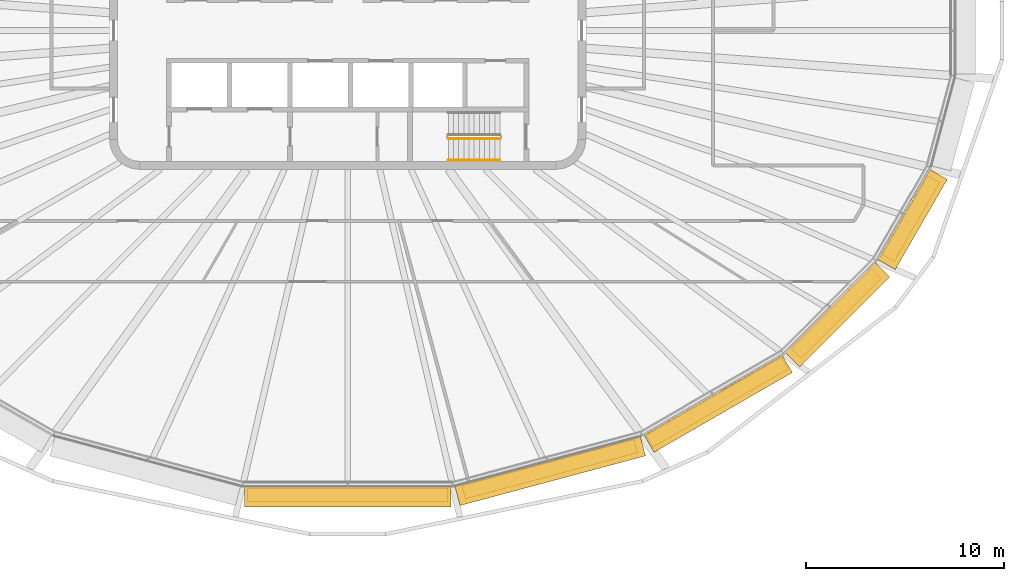
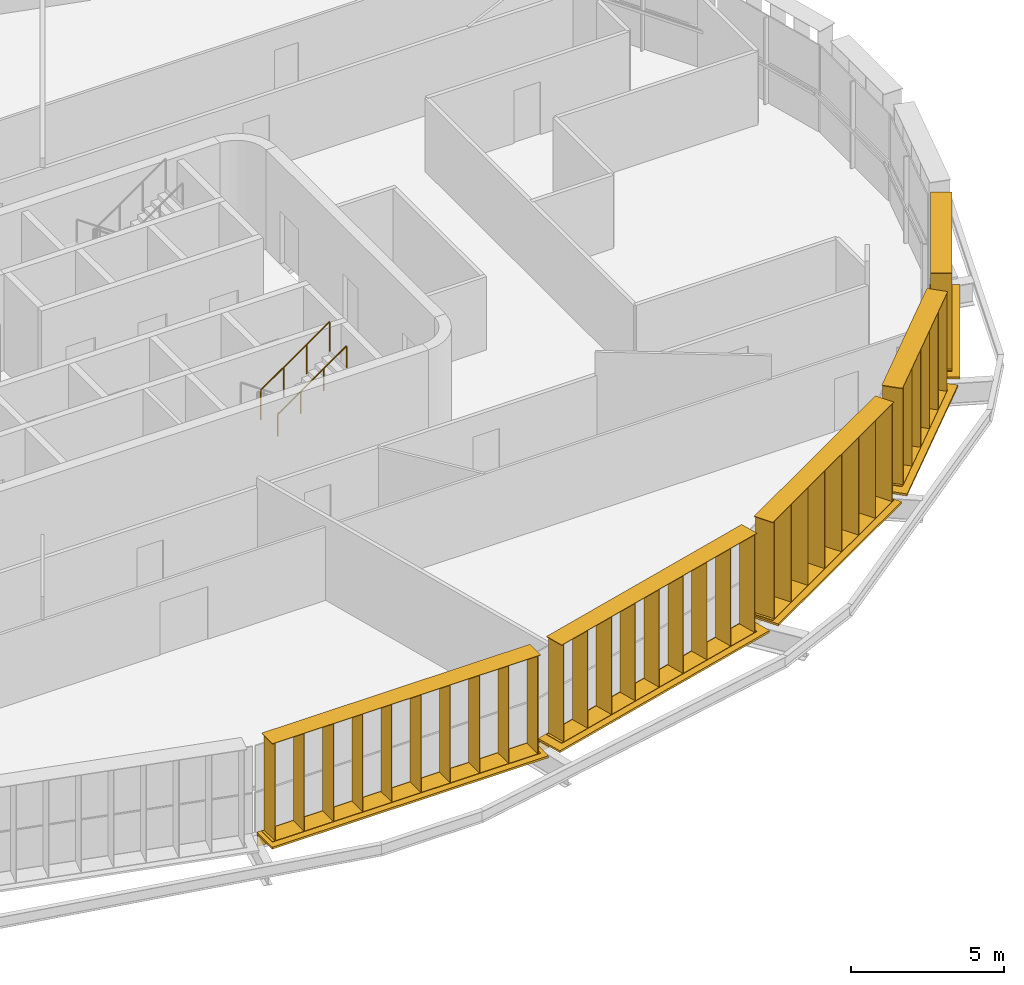
# One storey, part 17 of 20: 10 shading devices, 2 railings.
"""IFC4 building model written with IfcOpenShell, lengths in metres."""

from ifc_helpers import new_model, si_unit, direction, frame, origin, origin_2d, place, context, subcontext, project, spatial, rectangle, circle, extrude, material, type_object, element, save


model = new_model("IFC4")

# Units and contexts
model_context = context("Model", 3, precision=1e-05, world=origin(), true_north=direction((0.0, 1.0)))
body_context = subcontext(model_context, "Body", "Model", "MODEL_VIEW")
ifc_project = project(units=[si_unit("LENGTHUNIT", "METRE"), si_unit("AREAUNIT", "SQUARE_METRE"), si_unit("VOLUMEUNIT", "CUBIC_METRE"), si_unit("PLANEANGLEUNIT", "RADIAN"), si_unit("MASSUNIT", "GRAM", prefix="KILO")], contexts=[model_context])

# Site, building, storey
site_placement = place(None, origin())
site = spatial("IfcSite", under=ifc_project, at=site_placement, CompositionType="ELEMENT")
building_placement = place(site_placement, origin())
building = spatial("IfcBuilding", under=site, at=building_placement, Name="Sahrelin Media Tower", CompositionType="ELEMENT")
storey_placement = place(building_placement, frame((0.0, 0.0, 213.60009765625)))
storey = spatial("IfcBuildingStorey", under=building, at=storey_placement, Name="L45", CompositionType="ELEMENT", Elevation=213.60009765625)

# Shading devices
ifc_material_1 = material(Name="Champagne anodised aluminium 6063-T6", Category="aluminium")
shading_device_type_1 = type_object("IfcShadingDeviceType", Name="Fin cassette", PredefinedType="USERDEFINED", material=ifc_material_1)
placement_1 = place(storey_placement, frame((0.0, -22.982177734375, 0.0), z_axis=(0.0, 0.0, 1.0), x_axis=(-1.0, 0.0, 0.0)))
element("IfcShadingDevice", 1, at=placement_1, inside=storey, type_object=shading_device_type_1, Name="L45:FIN:L45-18", ObjectType="FIN", PredefinedType="USERDEFINED", context=body_context, shape_type="SweptSolid", body=[
    extrude(rectangle(XDim=10.10009765625, YDim=0.699951171875, at=origin_2d()), frame((0.0, 0.419921875, 0.0)), (0.0, 0.0, 1.0), 0.02001953125),
    extrude(rectangle(XDim=10.10009765625, YDim=0.699951171875, at=origin_2d()), frame((0.0, 0.419921875, 3.89990234375)), (0.0, 0.0, 1.0), 0.02001953125),
    extrude(rectangle(XDim=0.02001953125, YDim=0.699951171875, at=origin_2d()), frame((-4.949951171875, 0.419921875, 0.010009765625), z_axis=(0.0, 0.0, 1.0), x_axis=(1.0, 0.0, 0.0)), (0.0, 0.0, 1.0), 3.89990234375),
    extrude(rectangle(XDim=0.02001953125, YDim=0.699951171875, at=origin_2d()), frame((-3.85009765625, 0.419921875, 0.010009765625), z_axis=(0.0, 0.0, 1.0), x_axis=(1.0, 0.0, 0.0)), (0.0, 0.0, 1.0), 3.89990234375),
    extrude(rectangle(XDim=0.02001953125, YDim=0.699951171875, at=origin_2d()), frame((-2.75, 0.419921875, 0.010009765625), z_axis=(0.0, 0.0, 1.0), x_axis=(1.0, 0.0, 0.0)), (0.0, 0.0, 1.0), 3.89990234375),
    extrude(rectangle(XDim=0.02001953125, YDim=0.699951171875, at=origin_2d()), frame((-1.64990234375, 0.419921875, 0.010009765625), z_axis=(0.0, 0.0, 1.0), x_axis=(1.0, 0.0, 0.0)), (0.0, 0.0, 1.0), 3.89990234375),
    extrude(rectangle(XDim=0.02001953125, YDim=0.699951171875, at=origin_2d()), frame((-0.550048828125, 0.419921875, 0.010009765625), z_axis=(0.0, 0.0, 1.0), x_axis=(1.0, 0.0, 0.0)), (0.0, 0.0, 1.0), 3.89990234375),
    extrude(rectangle(XDim=0.02001953125, YDim=0.699951171875, at=origin_2d()), frame((0.550048828125, 0.419921875, 0.010009765625), z_axis=(0.0, 0.0, 1.0), x_axis=(1.0, 0.0, 0.0)), (0.0, 0.0, 1.0), 3.89990234375),
    extrude(rectangle(XDim=0.02001953125, YDim=0.699951171875, at=origin_2d()), frame((1.64990234375, 0.419921875, 0.010009765625), z_axis=(0.0, 0.0, 1.0), x_axis=(1.0, 0.0, 0.0)), (0.0, 0.0, 1.0), 3.89990234375),
    extrude(rectangle(XDim=0.02001953125, YDim=0.699951171875, at=origin_2d()), frame((2.75, 0.419921875, 0.010009765625), z_axis=(0.0, 0.0, 1.0), x_axis=(1.0, 0.0, 0.0)), (0.0, 0.0, 1.0), 3.89990234375),
    extrude(rectangle(XDim=0.02001953125, YDim=0.699951171875, at=origin_2d()), frame((3.85009765625, 0.419921875, 0.010009765625), z_axis=(0.0, 0.0, 1.0), x_axis=(1.0, 0.0, 0.0)), (0.0, 0.0, 1.0), 3.89990234375),
    extrude(rectangle(XDim=0.02001953125, YDim=0.699951171875, at=origin_2d()), frame((4.949951171875, 0.419921875, 0.010009765625), z_axis=(0.0, 0.0, 1.0), x_axis=(1.0, 0.0, 0.0)), (0.0, 0.0, 1.0), 3.89990234375),
])
placement_2 = place(storey_placement, frame((10.072998046875, -21.703857421875, 0.0), z_axis=(0.0, 0.0, 1.0), x_axis=(-0.965928857556, -0.258807731996, 0.0)))
element("IfcShadingDevice", 2, at=placement_2, inside=storey, type_object=shading_device_type_1, Name="L45:FIN:L45-19", ObjectType="FIN", PredefinedType="USERDEFINED", context=body_context, shape_type="SweptSolid", body=[
    extrude(rectangle(XDim=9.0, YDim=0.699951171875, at=origin_2d()), frame((0.0, 0.419921875, 0.0)), (0.0, 0.0, 1.0), 0.02001953125),
    extrude(rectangle(XDim=9.0, YDim=0.699951171875, at=origin_2d()), frame((0.0, 0.419921875, 3.89990234375)), (0.0, 0.0, 1.0), 0.02001953125),
    extrude(rectangle(XDim=0.02001953125, YDim=0.699951171875, at=origin_2d()), frame((-4.39990234375, 0.419921875, 0.010009765625), z_axis=(0.0, 0.0, 1.0), x_axis=(1.0, 0.0, 0.0)), (0.0, 0.0, 1.0), 3.89990234375),
    extrude(rectangle(XDim=0.02001953125, YDim=0.699951171875, at=origin_2d()), frame((-3.300048828125, 0.419921875, 0.010009765625), z_axis=(0.0, 0.0, 1.0), x_axis=(1.0, 0.0, 0.0)), (0.0, 0.0, 1.0), 3.89990234375),
    extrude(rectangle(XDim=0.02001953125, YDim=0.699951171875, at=origin_2d()), frame((-2.199951171875, 0.419921875, 0.010009765625), z_axis=(0.0, 0.0, 1.0), x_axis=(1.0, 0.0, 0.0)), (0.0, 0.0, 1.0), 3.89990234375),
    extrude(rectangle(XDim=0.02001953125, YDim=0.699951171875, at=origin_2d()), frame((-1.10009765625, 0.419921875, 0.010009765625), z_axis=(0.0, 0.0, 1.0), x_axis=(1.0, 0.0, 0.0)), (0.0, 0.0, 1.0), 3.89990234375),
    extrude(rectangle(XDim=0.02001953125, YDim=0.699951171875, at=origin_2d()), frame((0.0, 0.419921875, 0.010009765625), z_axis=(0.0, 0.0, 1.0), x_axis=(1.0, 0.0, 0.0)), (0.0, 0.0, 1.0), 3.89990234375),
    extrude(rectangle(XDim=0.02001953125, YDim=0.699951171875, at=origin_2d()), frame((1.10009765625, 0.419921875, 0.010009765625), z_axis=(0.0, 0.0, 1.0), x_axis=(1.0, 0.0, 0.0)), (0.0, 0.0, 1.0), 3.89990234375),
    extrude(rectangle(XDim=0.02001953125, YDim=0.699951171875, at=origin_2d()), frame((2.199951171875, 0.419921875, 0.010009765625), z_axis=(0.0, 0.0, 1.0), x_axis=(1.0, 0.0, 0.0)), (0.0, 0.0, 1.0), 3.89990234375),
    extrude(rectangle(XDim=0.02001953125, YDim=0.699951171875, at=origin_2d()), frame((3.300048828125, 0.419921875, 0.010009765625), z_axis=(0.0, 0.0, 1.0), x_axis=(1.0, 0.0, 0.0)), (0.0, 0.0, 1.0), 3.89990234375),
    extrude(rectangle(XDim=0.02001953125, YDim=0.699951171875, at=origin_2d()), frame((4.39990234375, 0.419921875, 0.010009765625), z_axis=(0.0, 0.0, 1.0), x_axis=(1.0, 0.0, 0.0)), (0.0, 0.0, 1.0), 3.89990234375),
])
placement_3 = place(storey_placement, frame((18.413330078125, -18.36474609375, 0.0), z_axis=(0.0, 0.0, 1.0), x_axis=(-0.866019052629, -0.500011000363, 0.0)))
element("IfcShadingDevice", 3, at=placement_3, inside=storey, type_object=shading_device_type_1, Name="L45:FIN:L45-20", ObjectType="FIN", PredefinedType="USERDEFINED", context=body_context, shape_type="SweptSolid", body=[
    extrude(rectangle(XDim=7.89990234375, YDim=0.699951171875, at=origin_2d()), frame((0.0, 0.419921875, 0.0)), (0.0, 0.0, 1.0), 0.02001953125),
    extrude(rectangle(XDim=7.89990234375, YDim=0.699951171875, at=origin_2d()), frame((0.0, 0.419921875, 3.89990234375)), (0.0, 0.0, 1.0), 0.02001953125),
    extrude(rectangle(XDim=0.02001953125, YDim=0.699951171875, at=origin_2d()), frame((-3.85009765625, 0.419921875, 0.010009765625), z_axis=(0.0, 0.0, 1.0), x_axis=(1.0, 0.0, 0.0)), (0.0, 0.0, 1.0), 3.89990234375),
    extrude(rectangle(XDim=0.02001953125, YDim=0.699951171875, at=origin_2d()), frame((-2.75, 0.419921875, 0.010009765625), z_axis=(0.0, 0.0, 1.0), x_axis=(1.0, 0.0, 0.0)), (0.0, 0.0, 1.0), 3.89990234375),
    extrude(rectangle(XDim=0.02001953125, YDim=0.699951171875, at=origin_2d()), frame((-1.64990234375, 0.419921875, 0.010009765625), z_axis=(0.0, 0.0, 1.0), x_axis=(1.0, 0.0, 0.0)), (0.0, 0.0, 1.0), 3.89990234375),
    extrude(rectangle(XDim=0.02001953125, YDim=0.699951171875, at=origin_2d()), frame((-0.550048828125, 0.419921875, 0.010009765625), z_axis=(0.0, 0.0, 1.0), x_axis=(1.0, 0.0, 0.0)), (0.0, 0.0, 1.0), 3.89990234375),
    extrude(rectangle(XDim=0.02001953125, YDim=0.699951171875, at=origin_2d()), frame((0.550048828125, 0.419921875, 0.010009765625), z_axis=(0.0, 0.0, 1.0), x_axis=(1.0, 0.0, 0.0)), (0.0, 0.0, 1.0), 3.89990234375),
    extrude(rectangle(XDim=0.02001953125, YDim=0.699951171875, at=origin_2d()), frame((1.64990234375, 0.419921875, 0.010009765625), z_axis=(0.0, 0.0, 1.0), x_axis=(1.0, 0.0, 0.0)), (0.0, 0.0, 1.0), 3.89990234375),
    extrude(rectangle(XDim=0.02001953125, YDim=0.699951171875, at=origin_2d()), frame((2.75, 0.419921875, 0.010009765625), z_axis=(0.0, 0.0, 1.0), x_axis=(1.0, 0.0, 0.0)), (0.0, 0.0, 1.0), 3.89990234375),
    extrude(rectangle(XDim=0.02001953125, YDim=0.699951171875, at=origin_2d()), frame((3.85009765625, 0.419921875, 0.010009765625), z_axis=(0.0, 0.0, 1.0), x_axis=(1.0, 0.0, 0.0)), (0.0, 0.0, 1.0), 3.89990234375),
])
placement_4 = place(storey_placement, frame((24.32177734375, -13.965087890625, 0.0), z_axis=(0.0, 0.0, 1.0), x_axis=(-0.707106781187, -0.707106781187, 0.0)))
element("IfcShadingDevice", 4, at=placement_4, inside=storey, type_object=shading_device_type_1, Name="L45:FIN:L45-21", ObjectType="FIN", PredefinedType="USERDEFINED", context=body_context, shape_type="SweptSolid", body=[
    extrude(rectangle(XDim=5.699951171875, YDim=0.699951171875, at=origin_2d()), frame((0.0, 0.419921875, 0.0)), (0.0, 0.0, 1.0), 0.02001953125),
    extrude(rectangle(XDim=5.699951171875, YDim=0.699951171875, at=origin_2d()), frame((0.0, 0.419921875, 3.89990234375)), (0.0, 0.0, 1.0), 0.02001953125),
    extrude(rectangle(XDim=0.02001953125, YDim=0.699951171875, at=origin_2d()), frame((-2.75, 0.419921875, 0.010009765625), z_axis=(0.0, 0.0, 1.0), x_axis=(1.0, 0.0, 0.0)), (0.0, 0.0, 1.0), 3.89990234375),
    extrude(rectangle(XDim=0.02001953125, YDim=0.699951171875, at=origin_2d()), frame((-1.64990234375, 0.419921875, 0.010009765625), z_axis=(0.0, 0.0, 1.0), x_axis=(1.0, 0.0, 0.0)), (0.0, 0.0, 1.0), 3.89990234375),
    extrude(rectangle(XDim=0.02001953125, YDim=0.699951171875, at=origin_2d()), frame((-0.550048828125, 0.419921875, 0.010009765625), z_axis=(0.0, 0.0, 1.0), x_axis=(1.0, 0.0, 0.0)), (0.0, 0.0, 1.0), 3.89990234375),
    extrude(rectangle(XDim=0.02001953125, YDim=0.699951171875, at=origin_2d()), frame((0.550048828125, 0.419921875, 0.010009765625), z_axis=(0.0, 0.0, 1.0), x_axis=(1.0, 0.0, 0.0)), (0.0, 0.0, 1.0), 3.89990234375),
    extrude(rectangle(XDim=0.02001953125, YDim=0.699951171875, at=origin_2d()), frame((1.64990234375, 0.419921875, 0.010009765625), z_axis=(0.0, 0.0, 1.0), x_axis=(1.0, 0.0, 0.0)), (0.0, 0.0, 1.0), 3.89990234375),
    extrude(rectangle(XDim=0.02001953125, YDim=0.699951171875, at=origin_2d()), frame((2.75, 0.419921875, 0.010009765625), z_axis=(0.0, 0.0, 1.0), x_axis=(1.0, 0.0, 0.0)), (0.0, 0.0, 1.0), 3.89990234375),
])
placement_5 = place(storey_placement, frame((28.02197265625, -9.268310546875, 0.0), z_axis=(0.0, 0.0, 1.0), x_axis=(-0.500011000363, -0.866019052629, 0.0)))
element("IfcShadingDevice", 5, at=placement_5, inside=storey, type_object=shading_device_type_1, Name="L45:FIN:L45-22", ObjectType="FIN", PredefinedType="USERDEFINED", context=body_context, shape_type="SweptSolid", body=[
    extrude(rectangle(XDim=4.60009765625, YDim=0.699951171875, at=origin_2d()), frame((0.0, 0.419921875, 0.0)), (0.0, 0.0, 1.0), 0.02001953125),
    extrude(rectangle(XDim=4.60009765625, YDim=0.699951171875, at=origin_2d()), frame((0.0, 0.419921875, 3.89990234375)), (0.0, 0.0, 1.0), 0.02001953125),
    extrude(rectangle(XDim=0.02001953125, YDim=0.699951171875, at=origin_2d()), frame((-2.199951171875, 0.419921875, 0.010009765625), z_axis=(0.0, 0.0, 1.0), x_axis=(1.0, 0.0, 0.0)), (0.0, 0.0, 1.0), 3.89990234375),
    extrude(rectangle(XDim=0.02001953125, YDim=0.699951171875, at=origin_2d()), frame((-1.10009765625, 0.419921875, 0.010009765625), z_axis=(0.0, 0.0, 1.0), x_axis=(1.0, 0.0, 0.0)), (0.0, 0.0, 1.0), 3.89990234375),
    extrude(rectangle(XDim=0.02001953125, YDim=0.699951171875, at=origin_2d()), frame((0.0, 0.419921875, 0.010009765625), z_axis=(0.0, 0.0, 1.0), x_axis=(1.0, 0.0, 0.0)), (0.0, 0.0, 1.0), 3.89990234375),
    extrude(rectangle(XDim=0.02001953125, YDim=0.699951171875, at=origin_2d()), frame((1.10009765625, 0.419921875, 0.010009765625), z_axis=(0.0, 0.0, 1.0), x_axis=(1.0, 0.0, 0.0)), (0.0, 0.0, 1.0), 3.89990234375),
    extrude(rectangle(XDim=0.02001953125, YDim=0.699951171875, at=origin_2d()), frame((2.199951171875, 0.419921875, 0.010009765625), z_axis=(0.0, 0.0, 1.0), x_axis=(1.0, 0.0, 0.0)), (0.0, 0.0, 1.0), 3.89990234375),
])

# Railings
ifc_material_2 = material(Name="Steel S355", Category="steel")
railing_type_1 = type_object("IfcRailingType", Name="Stair guard 1200", PredefinedType="GUARDRAIL", material=ifc_material_2)
railing_1_placement = place(storey_placement, frame((5.074951171875, -5.449951171875, 2.181640625)))
element("IfcRailing", 6, at=railing_1_placement, inside=storey, type_object=railing_type_1, Name="L45 ST2 stair guard 3", PredefinedType="GUARDRAIL", context=body_context, shape_type="SweptSolid", body=[
    extrude(circle(Radius=0.02392578125, at=origin_2d()), frame((0.0, 0.0, 1.17578125), z_axis=(0.819484887739, 0.0, 0.573100792852), x_axis=(0.0, 1.0, 0.0)), (0.0, 0.0, 1.0), 3.1728515625),
    extrude(circle(Radius=0.02099609375, at=origin_2d()), origin(), (0.0, 0.0, 1.0), 1.15185546875),
    extrude(circle(Radius=0.02099609375, at=origin_2d()), frame((0.86669921875, 0.0, 0.606201171875)), (0.0, 0.0, 1.0), 1.15185546875),
    extrude(circle(Radius=0.02099609375, at=origin_2d()), frame((1.7333984375, 0.0, 1.212158203125)), (0.0, 0.0, 1.0), 1.15185546875),
    extrude(circle(Radius=0.02099609375, at=origin_2d()), frame((2.60009765625, 0.0, 1.818359375)), (0.0, 0.0, 1.0), 1.15185546875),
])
railing_type_2 = type_object("IfcRailingType", Name="Stair handrail 900", PredefinedType="HANDRAIL", material=ifc_material_2)
railing_2_placement = place(storey_placement, frame((5.074951171875, -6.550048828125, 2.181640625)))
element("IfcRailing", 7, at=railing_2_placement, inside=storey, type_object=railing_type_2, Name="L45 ST2 stair handrail 2", PredefinedType="HANDRAIL", context=body_context, shape_type="SweptSolid", body=[
    extrude(circle(Radius=0.02392578125, at=origin_2d()), frame((0.0, 0.0, 0.8759765625), z_axis=(0.819484887739, 0.0, 0.573100792852), x_axis=(0.0, 1.0, 0.0)), (0.0, 0.0, 1.0), 3.1728515625),
    extrude(circle(Radius=0.02099609375, at=origin_2d()), origin(), (0.0, 0.0, 1.0), 0.851806640625),
    extrude(circle(Radius=0.02099609375, at=origin_2d()), frame((0.86669921875, 0.0, 0.606201171875)), (0.0, 0.0, 1.0), 0.851806640625),
    extrude(circle(Radius=0.02099609375, at=origin_2d()), frame((1.7333984375, 0.0, 1.212158203125)), (0.0, 0.0, 1.0), 0.851806640625),
    extrude(circle(Radius=0.02099609375, at=origin_2d()), frame((2.60009765625, 0.0, 1.818359375)), (0.0, 0.0, 1.0), 0.851806640625),
])

# Shading devices
shading_device_type_2 = type_object("IfcShadingDeviceType", Name="Sunshade band", PredefinedType="USERDEFINED", material=ifc_material_1)
element("IfcShadingDevice", 8, at=placement_1, inside=storey, type_object=shading_device_type_2, Name="L45:SUN:L45-18", ObjectType="SUNSHADE", PredefinedType="USERDEFINED", context=body_context, shape_type="SweptSolid", body=[
    extrude(rectangle(XDim=10.40478515625, YDim=0.050048828125, at=origin_2d()), frame((0.0, 0.044921875, -0.55126953125)), (0.0, 0.0, 1.0), 0.471435546875),
    extrude(rectangle(XDim=10.40478515625, YDim=1.0, at=origin_2d()), frame((0.0, 0.52001953125, -0.080078125)), (0.0, 0.0, 1.0), 0.080078125),
    extrude(rectangle(XDim=0.10009765625, YDim=0.074951171875, at=origin_2d()), frame((-5.102294921875, -0.017578125, -0.47021484375)), (0.0, 0.0, 1.0), 0.300048828125),
    extrude(rectangle(XDim=0.10009765625, YDim=0.074951171875, at=origin_2d()), frame((-3.401611328125, -0.017578125, -0.47021484375)), (0.0, 0.0, 1.0), 0.300048828125),
    extrude(rectangle(XDim=0.10009765625, YDim=0.074951171875, at=origin_2d()), frame((-1.70068359375, -0.017578125, -0.47021484375)), (0.0, 0.0, 1.0), 0.300048828125),
    extrude(rectangle(XDim=0.10009765625, YDim=0.074951171875, at=origin_2d()), frame((0.0, -0.017578125, -0.47021484375)), (0.0, 0.0, 1.0), 0.300048828125),
    extrude(rectangle(XDim=0.10009765625, YDim=0.074951171875, at=origin_2d()), frame((1.70068359375, -0.017578125, -0.47021484375)), (0.0, 0.0, 1.0), 0.300048828125),
    extrude(rectangle(XDim=0.10009765625, YDim=0.074951171875, at=origin_2d()), frame((3.401611328125, -0.017578125, -0.47021484375)), (0.0, 0.0, 1.0), 0.300048828125),
    extrude(rectangle(XDim=0.10009765625, YDim=0.074951171875, at=origin_2d()), frame((5.102294921875, -0.017578125, -0.47021484375)), (0.0, 0.0, 1.0), 0.300048828125),
])
element("IfcShadingDevice", 9, at=placement_2, inside=storey, type_object=shading_device_type_2, Name="L45:SUN:L45-19", ObjectType="SUNSHADE", PredefinedType="USERDEFINED", context=body_context, shape_type="SweptSolid", body=[
    extrude(rectangle(XDim=9.677978515625, YDim=0.050048828125, at=origin_2d()), frame((0.0, 0.044921875, -0.55126953125)), (0.0, 0.0, 1.0), 0.471435546875),
    extrude(rectangle(XDim=9.677978515625, YDim=1.0, at=origin_2d()), frame((0.0, 0.52001953125, -0.080078125)), (0.0, 0.0, 1.0), 0.080078125),
    extrude(rectangle(XDim=0.10009765625, YDim=0.074951171875, at=origin_2d()), frame((-4.739013671875, -0.017578125, -0.47021484375)), (0.0, 0.0, 1.0), 0.300048828125),
    extrude(rectangle(XDim=0.10009765625, YDim=0.074951171875, at=origin_2d()), frame((-2.843505859375, -0.017578125, -0.47021484375)), (0.0, 0.0, 1.0), 0.300048828125),
    extrude(rectangle(XDim=0.10009765625, YDim=0.074951171875, at=origin_2d()), frame((-0.94775390625, -0.017578125, -0.47021484375)), (0.0, 0.0, 1.0), 0.300048828125),
    extrude(rectangle(XDim=0.10009765625, YDim=0.074951171875, at=origin_2d()), frame((0.94775390625, -0.017578125, -0.47021484375)), (0.0, 0.0, 1.0), 0.300048828125),
    extrude(rectangle(XDim=0.10009765625, YDim=0.074951171875, at=origin_2d()), frame((2.843505859375, -0.017578125, -0.47021484375)), (0.0, 0.0, 1.0), 0.300048828125),
    extrude(rectangle(XDim=0.10009765625, YDim=0.074951171875, at=origin_2d()), frame((4.739013671875, -0.017578125, -0.47021484375)), (0.0, 0.0, 1.0), 0.300048828125),
])
element("IfcShadingDevice", 10, at=placement_3, inside=storey, type_object=shading_device_type_2, Name="L45:SUN:L45-20", ObjectType="SUNSHADE", PredefinedType="USERDEFINED", context=body_context, shape_type="SweptSolid", body=[
    extrude(rectangle(XDim=8.043701171875, YDim=0.050048828125, at=origin_2d()), frame((0.0, 0.044921875, -0.55126953125)), (0.0, 0.0, 1.0), 0.471435546875),
    extrude(rectangle(XDim=8.043701171875, YDim=1.0, at=origin_2d()), frame((0.0, 0.52001953125, -0.080078125)), (0.0, 0.0, 1.0), 0.080078125),
    extrude(rectangle(XDim=0.10009765625, YDim=0.074951171875, at=origin_2d()), frame((-3.921875, -0.017578125, -0.47021484375)), (0.0, 0.0, 1.0), 0.300048828125),
    extrude(rectangle(XDim=0.10009765625, YDim=0.074951171875, at=origin_2d()), frame((-2.35302734375, -0.017578125, -0.47021484375)), (0.0, 0.0, 1.0), 0.300048828125),
    extrude(rectangle(XDim=0.10009765625, YDim=0.074951171875, at=origin_2d()), frame((-0.784423828125, -0.017578125, -0.47021484375)), (0.0, 0.0, 1.0), 0.300048828125),
    extrude(rectangle(XDim=0.10009765625, YDim=0.074951171875, at=origin_2d()), frame((0.784423828125, -0.017578125, -0.47021484375)), (0.0, 0.0, 1.0), 0.300048828125),
    extrude(rectangle(XDim=0.10009765625, YDim=0.074951171875, at=origin_2d()), frame((2.35302734375, -0.017578125, -0.47021484375)), (0.0, 0.0, 1.0), 0.300048828125),
    extrude(rectangle(XDim=0.10009765625, YDim=0.074951171875, at=origin_2d()), frame((3.921875, -0.017578125, -0.47021484375)), (0.0, 0.0, 1.0), 0.300048828125),
])
element("IfcShadingDevice", 11, at=placement_4, inside=storey, type_object=shading_device_type_2, Name="L45:SUN:L45-21", ObjectType="SUNSHADE", PredefinedType="USERDEFINED", context=body_context, shape_type="SweptSolid", body=[
    extrude(rectangle(XDim=6.4150390625, YDim=0.050048828125, at=origin_2d()), frame((0.0, 0.044921875, -0.55126953125)), (0.0, 0.0, 1.0), 0.471435546875),
    extrude(rectangle(XDim=6.4150390625, YDim=1.0, at=origin_2d()), frame((0.0, 0.52001953125, -0.080078125)), (0.0, 0.0, 1.0), 0.080078125),
    extrude(rectangle(XDim=0.10009765625, YDim=0.074951171875, at=origin_2d()), frame((-3.107421875, -0.017578125, -0.47021484375)), (0.0, 0.0, 1.0), 0.300048828125),
    extrude(rectangle(XDim=0.10009765625, YDim=0.074951171875, at=origin_2d()), frame((-1.5537109375, -0.017578125, -0.47021484375)), (0.0, 0.0, 1.0), 0.300048828125),
    extrude(rectangle(XDim=0.10009765625, YDim=0.074951171875, at=origin_2d()), frame((0.0, -0.017578125, -0.47021484375)), (0.0, 0.0, 1.0), 0.300048828125),
    extrude(rectangle(XDim=0.10009765625, YDim=0.074951171875, at=origin_2d()), frame((1.5537109375, -0.017578125, -0.47021484375)), (0.0, 0.0, 1.0), 0.300048828125),
    extrude(rectangle(XDim=0.10009765625, YDim=0.074951171875, at=origin_2d()), frame((3.107421875, -0.017578125, -0.47021484375)), (0.0, 0.0, 1.0), 0.300048828125),
])
element("IfcShadingDevice", 12, at=placement_5, inside=storey, type_object=shading_device_type_2, Name="L45:SUN:L45-22", ObjectType="SUNSHADE", PredefinedType="USERDEFINED", context=body_context, shape_type="SweptSolid", body=[
    extrude(rectangle(XDim=5.2451171875, YDim=0.050048828125, at=origin_2d()), frame((0.0, 0.044921875, -0.55126953125)), (0.0, 0.0, 1.0), 0.471435546875),
    extrude(rectangle(XDim=5.2451171875, YDim=1.0, at=origin_2d()), frame((0.0, 0.52001953125, -0.080078125)), (0.0, 0.0, 1.0), 0.080078125),
    extrude(rectangle(XDim=0.10009765625, YDim=0.074951171875, at=origin_2d()), frame((-2.522705078125, -0.017578125, -0.47021484375)), (0.0, 0.0, 1.0), 0.300048828125),
    extrude(rectangle(XDim=0.10009765625, YDim=0.074951171875, at=origin_2d()), frame((-0.8408203125, -0.017578125, -0.47021484375)), (0.0, 0.0, 1.0), 0.300048828125),
    extrude(rectangle(XDim=0.10009765625, YDim=0.074951171875, at=origin_2d()), frame((0.8408203125, -0.017578125, -0.47021484375)), (0.0, 0.0, 1.0), 0.300048828125),
    extrude(rectangle(XDim=0.10009765625, YDim=0.074951171875, at=origin_2d()), frame((2.522705078125, -0.017578125, -0.47021484375)), (0.0, 0.0, 1.0), 0.300048828125),
])

save(model, "model.ifc")
